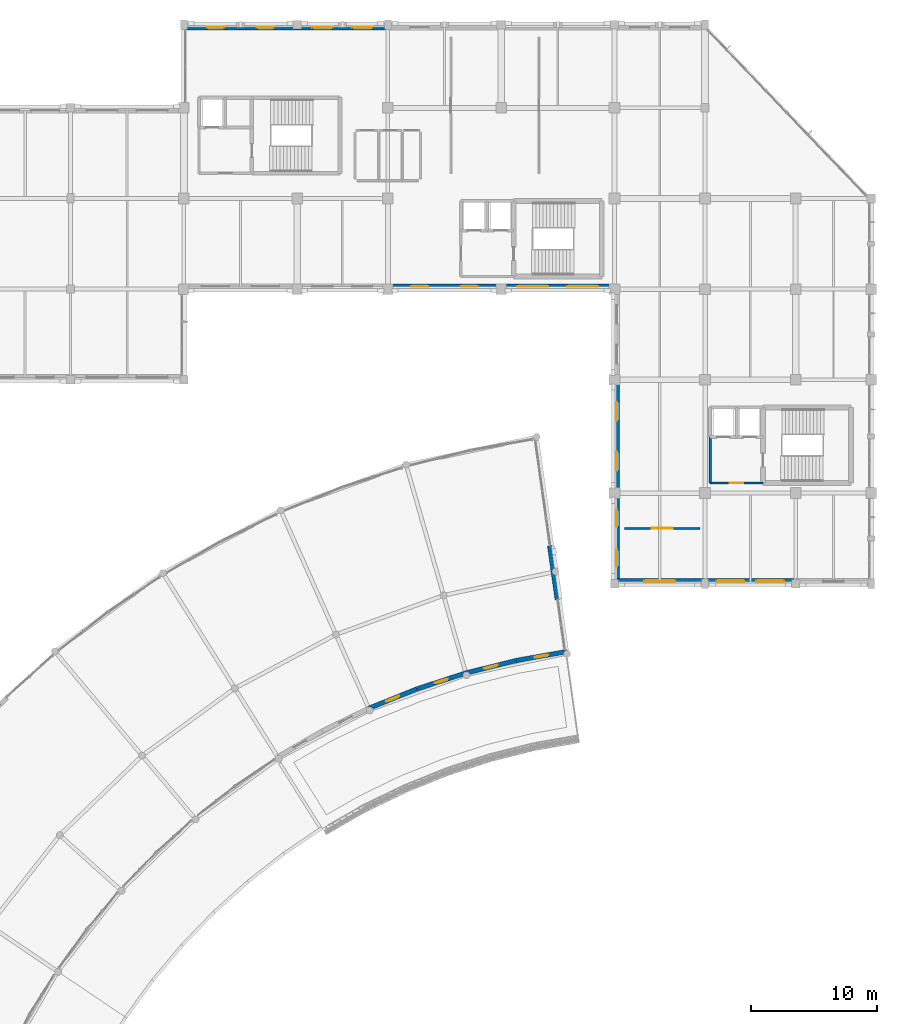
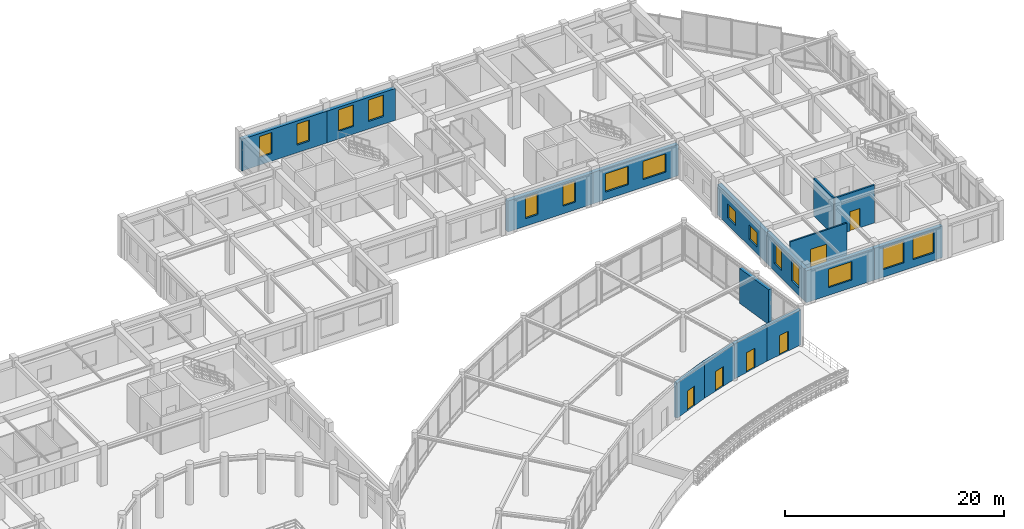
# One storey, part 46 of 62: 16 walls, 15 windows, 6 doors, 21 openings.
"""IFC4 building model written with IfcOpenShell, lengths in metres."""

from ifc_helpers import new_model, si_unit, direction, frame, frame_2d, origin, place, context, subcontext, project, spatial, rectangle, extrude, material, layer, layer_set, type_object, element, fill, save


model = new_model("IFC4")

# Units and contexts
model_context = context("Model", 3, precision=1e-05, world=origin(), true_north=direction((0.0, 1.0)))
body_context = subcontext(model_context, "Body", "Model", "MODEL_VIEW")
ifc_project = project(units=[si_unit("LENGTHUNIT", "METRE"), si_unit("AREAUNIT", "SQUARE_METRE"), si_unit("VOLUMEUNIT", "CUBIC_METRE"), si_unit("PLANEANGLEUNIT", "RADIAN"), si_unit("MASSUNIT", "GRAM", prefix="KILO")], contexts=[model_context])

# Site, building, storey
site_placement = place(None, origin())
site = spatial("IfcSite", under=ifc_project, at=site_placement, CompositionType="ELEMENT")
building_placement = place(site_placement, origin())
building = spatial("IfcBuilding", under=site, at=building_placement, Name="Clarverna Civic Hall", CompositionType="ELEMENT")
storey_placement = place(building_placement, frame((0.0, 0.0, 5.10009765625)))
storey = spatial("IfcBuildingStorey", under=building, at=storey_placement, Name="L01", CompositionType="ELEMENT", Elevation=5.10009765625)

# Wall, openings, windows
ifc_material_1 = material(Name="Montjuic Limestone Ashlar Cladding", Category="masonry")
ifc_layer_1 = layer(ifc_material_1, 0.39990234375)
ifc_layer_set_1 = layer_set([ifc_layer_1], Name="Montjuic Limestone Ashlar Cladding")
wall_type_1 = type_object("IfcWallType", Name="EW-02", PredefinedType="SOLIDWALL", material=ifc_layer_set_1)
wall_1_placement = place(storey_placement, frame((113.39990234375, 115.800048828125, 0.0), z_axis=(0.0, 0.0, 1.0), x_axis=(1.0, 0.0, 0.0)))
wall_1 = element("IfcWall", 1, at=wall_1_placement, inside=storey, type_object=wall_type_1, Name="EW-02-034", PredefinedType="SOLIDWALL", context=body_context, shape_type="SweptSolid", body=[
    extrude(rectangle(XDim=9.0, YDim=0.39990234375, at=frame_2d((4.5, 0.0))), origin(), (0.0, 0.0, 1.0), 3.539794921875),
])
opening_1_placement = place(wall_1_placement, frame((1.844970703125, 0.0, 0.85009765625)))
opening_1 = element("IfcOpeningElement", 2, at=opening_1_placement, cuts=wall_1, Name="Opening WN-29", PredefinedType="OPENING", context=body_context, shape_type="SweptSolid", body=[
    extrude(rectangle(XDim=1.35009765625, YDim=2.35009765625, at=frame_2d((0.675048828125, 1.175048828125))), frame((0.0, 0.2099609375, 0.0), z_axis=(0.0, -1.0, 0.0), x_axis=(1.0, 0.0, 0.0)), (0.0, 0.0, 1.0), 0.419921875),
])
opening_2_placement = place(wall_1_placement, frame((5.804931640625, 0.0, 0.85009765625)))
opening_2 = element("IfcOpeningElement", 3, at=opening_2_placement, cuts=wall_1, Name="Opening WN-29", PredefinedType="OPENING", context=body_context, shape_type="SweptSolid", body=[
    extrude(rectangle(XDim=1.35009765625, YDim=2.35009765625, at=frame_2d((0.675048828125, 1.175048828125))), frame((0.0, 0.2099609375, 0.0), z_axis=(0.0, -1.0, 0.0), x_axis=(1.0, 0.0, 0.0)), (0.0, 0.0, 1.0), 0.419921875),
])
ifc_material_2 = material(Name="Solar-Control Argon Low-E Double Glazing", Category="glass")
window_type_1 = type_object("IfcWindowType", Name="WN-29", PartitioningType="SINGLE_PANEL", PredefinedType="WINDOW", material=ifc_material_2)
window_1_placement = place(opening_1_placement, origin())
window_1 = element("IfcWindow", 4, at=window_1_placement, inside=storey, type_object=window_type_1, Name="WN-29-015", OverallHeight=2.35009765625, OverallWidth=1.35009765625, PartitioningType="SINGLE_PANEL", PredefinedType="WINDOW", context=body_context, shape_type="SweptSolid", body=[
    extrude(rectangle(XDim=1.35009765625, YDim=2.35009765625, at=frame_2d((0.675048828125, 1.175048828125))), frame((0.0, 0.030029296875, 0.0), z_axis=(0.0, -1.0, 0.0), x_axis=(1.0, 0.0, 0.0)), (0.0, 0.0, 1.0), 0.06005859375),
])
fill(opening_1, window_1)
window_2_placement = place(opening_2_placement, origin())
window_2 = element("IfcWindow", 5, at=window_2_placement, inside=storey, type_object=window_type_1, Name="WN-29-016", OverallHeight=2.35009765625, OverallWidth=1.35009765625, PartitioningType="SINGLE_PANEL", PredefinedType="WINDOW", context=body_context, shape_type="SweptSolid", body=[
    extrude(rectangle(XDim=1.35009765625, YDim=2.35009765625, at=frame_2d((0.675048828125, 1.175048828125))), frame((0.0, 0.030029296875, 0.0), z_axis=(0.0, -1.0, 0.0), x_axis=(1.0, 0.0, 0.0)), (0.0, 0.0, 1.0), 0.06005859375),
])
fill(opening_2, window_2)

wall_2_placement = place(storey_placement, frame((122.39990234375, 115.800048828125, 0.0), z_axis=(0.0, 0.0, 1.0), x_axis=(1.0, 0.0, 0.0)))
wall_2 = element("IfcWall", 6, at=wall_2_placement, inside=storey, type_object=wall_type_1, Name="EW-02-035", PredefinedType="SOLIDWALL", context=body_context, shape_type="SweptSolid", body=[
    extrude(rectangle(XDim=7.2001953125, YDim=0.39990234375, at=frame_2d((3.60009765625, 0.0))), origin(), (0.0, 0.0, 1.0), 3.539794921875),
])
opening_3_placement = place(wall_2_placement, frame((1.216064453125, 0.0, 0.85009765625)))
opening_3 = element("IfcOpeningElement", 7, at=opening_3_placement, cuts=wall_2, Name="Opening WN-03", PredefinedType="OPENING", context=body_context, shape_type="SweptSolid", body=[
    extrude(rectangle(XDim=1.60009765625, YDim=2.39990234375, at=frame_2d((0.800048828125, 1.199951171875))), frame((0.0, 0.2099609375, 0.0), z_axis=(0.0, -1.0, 0.0), x_axis=(1.0, 0.0, 0.0)), (0.0, 0.0, 1.0), 0.419921875),
])
opening_4_placement = place(wall_2_placement, frame((4.384033203125, 0.0, 0.85009765625)))
opening_4 = element("IfcOpeningElement", 8, at=opening_4_placement, cuts=wall_2, Name="Opening WN-03", PredefinedType="OPENING", context=body_context, shape_type="SweptSolid", body=[
    extrude(rectangle(XDim=1.60009765625, YDim=2.39990234375, at=frame_2d((0.800048828125, 1.199951171875))), frame((0.0, 0.2099609375, 0.0), z_axis=(0.0, -1.0, 0.0), x_axis=(1.0, 0.0, 0.0)), (0.0, 0.0, 1.0), 0.419921875),
])
window_type_2 = type_object("IfcWindowType", Name="WN-03", PartitioningType="DOUBLE_PANEL_VERTICAL", PredefinedType="WINDOW", material=ifc_material_2)
window_3_placement = place(opening_3_placement, origin())
window_3 = element("IfcWindow", 9, at=window_3_placement, inside=storey, type_object=window_type_2, Name="WN-03-012", OverallHeight=2.39990234375, OverallWidth=1.60009765625, PartitioningType="DOUBLE_PANEL_VERTICAL", PredefinedType="WINDOW", context=body_context, shape_type="SweptSolid", body=[
    extrude(rectangle(XDim=1.60009765625, YDim=2.39990234375, at=frame_2d((0.800048828125, 1.199951171875))), frame((0.0, 0.030029296875, 0.0), z_axis=(0.0, -1.0, 0.0), x_axis=(1.0, 0.0, 0.0)), (0.0, 0.0, 1.0), 0.06005859375),
])
fill(opening_3, window_3)
window_4_placement = place(opening_4_placement, origin())
window_4 = element("IfcWindow", 10, at=window_4_placement, inside=storey, type_object=window_type_2, Name="WN-03-013", OverallHeight=2.39990234375, OverallWidth=1.60009765625, PartitioningType="DOUBLE_PANEL_VERTICAL", PredefinedType="WINDOW", context=body_context, shape_type="SweptSolid", body=[
    extrude(rectangle(XDim=1.60009765625, YDim=2.39990234375, at=frame_2d((0.800048828125, 1.199951171875))), frame((0.0, 0.030029296875, 0.0), z_axis=(0.0, -1.0, 0.0), x_axis=(1.0, 0.0, 0.0)), (0.0, 0.0, 1.0), 0.06005859375),
])
fill(opening_4, window_4)

wall_3_placement = place(storey_placement, frame((162.0, 71.800048828125, 0.0), z_axis=(0.0, 0.0, 1.0), x_axis=(-1.0, 0.0, 0.0)))
wall_3 = element("IfcWall", 11, at=wall_3_placement, inside=storey, type_object=wall_type_1, Name="EW-02-040", PredefinedType="SOLIDWALL", context=body_context, shape_type="SweptSolid", body=[
    extrude(rectangle(XDim=7.199951171875, YDim=0.39990234375, at=frame_2d((3.60009765625, 0.0))), origin(), (0.0, 0.0, 1.0), 3.539794921875),
])
opening_5_placement = place(wall_3_placement, frame((0.916015625, 0.0, 0.85009765625)))
opening_5 = element("IfcOpeningElement", 12, at=opening_5_placement, cuts=wall_3, Name="Opening WN-04", PredefinedType="OPENING", context=body_context, shape_type="SweptSolid", body=[
    extrude(rectangle(XDim=2.199951171875, YDim=2.39990234375, at=frame_2d((1.10009765625, 1.199951171875))), frame((0.0, 0.2099609375, 0.0), z_axis=(0.0, -1.0, 0.0), x_axis=(1.0, 0.0, 0.0)), (0.0, 0.0, 1.0), 0.419921875),
])
opening_6_placement = place(wall_3_placement, frame((4.083984375, 0.0, 0.85009765625)))
opening_6 = element("IfcOpeningElement", 13, at=opening_6_placement, cuts=wall_3, Name="Opening WN-04", PredefinedType="OPENING", context=body_context, shape_type="SweptSolid", body=[
    extrude(rectangle(XDim=2.199951171875, YDim=2.39990234375, at=frame_2d((1.10009765625, 1.199951171875))), frame((0.0, 0.2099609375, 0.0), z_axis=(0.0, -1.0, 0.0), x_axis=(1.0, 0.0, 0.0)), (0.0, 0.0, 1.0), 0.419921875),
])
window_type_3 = type_object("IfcWindowType", Name="WN-04", PartitioningType="DOUBLE_PANEL_VERTICAL", PredefinedType="WINDOW", material=ifc_material_2)
window_5_placement = place(opening_5_placement, origin())
window_5 = element("IfcWindow", 14, at=window_5_placement, inside=storey, type_object=window_type_3, Name="WN-04-009", OverallHeight=2.39990234375, OverallWidth=2.199951171875, PartitioningType="DOUBLE_PANEL_VERTICAL", PredefinedType="WINDOW", context=body_context, shape_type="SweptSolid", body=[
    extrude(rectangle(XDim=2.199951171875, YDim=2.39990234375, at=frame_2d((1.10009765625, 1.199951171875))), frame((0.0, 0.030029296875, 0.0), z_axis=(0.0, -1.0, 0.0), x_axis=(1.0, 0.0, 0.0)), (0.0, 0.0, 1.0), 0.06005859375),
])
fill(opening_5, window_5)
window_6_placement = place(opening_6_placement, origin())
window_6 = element("IfcWindow", 15, at=window_6_placement, inside=storey, type_object=window_type_3, Name="WN-04-010", OverallHeight=2.39990234375, OverallWidth=2.199951171875, PartitioningType="DOUBLE_PANEL_VERTICAL", PredefinedType="WINDOW", context=body_context, shape_type="SweptSolid", body=[
    extrude(rectangle(XDim=2.199951171875, YDim=2.39990234375, at=frame_2d((1.10009765625, 1.199951171875))), frame((0.0, 0.030029296875, 0.0), z_axis=(0.0, -1.0, 0.0), x_axis=(1.0, 0.0, 0.0)), (0.0, 0.0, 1.0), 0.06005859375),
])
fill(opening_6, window_6)

# Wall, opening, window
wall_4_placement = place(storey_placement, frame((154.800048828125, 71.800048828125, 0.0), z_axis=(0.0, 0.0, 1.0), x_axis=(-1.0, 0.0, 0.0)))
wall_4 = element("IfcWall", 16, at=wall_4_placement, inside=storey, type_object=wall_type_1, Name="EW-02-041", PredefinedType="SOLIDWALL", context=body_context, shape_type="SweptSolid", body=[
    extrude(rectangle(XDim=7.199951171875, YDim=0.39990234375, at=frame_2d((3.60009765625, 0.0))), origin(), (0.0, 0.0, 1.0), 3.539794921875),
])
opening_7_placement = place(wall_4_placement, frame((2.375, 0.0, 0.85009765625)))
opening_7 = element("IfcOpeningElement", 17, at=opening_7_placement, cuts=wall_4, Name="Opening WN-24", PredefinedType="OPENING", context=body_context, shape_type="SweptSolid", body=[
    extrude(rectangle(XDim=2.449951171875, YDim=2.050048828125, at=frame_2d((1.22509765625, 1.02490234375))), frame((0.0, 0.2099609375, 0.0), z_axis=(0.0, -1.0, 0.0), x_axis=(1.0, 0.0, 0.0)), (0.0, 0.0, 1.0), 0.419921875),
])
window_type_4 = type_object("IfcWindowType", Name="WN-24", PartitioningType="TRIPLE_PANEL_VERTICAL", PredefinedType="WINDOW", material=ifc_material_2)
window_7_placement = place(opening_7_placement, origin())
window_7 = element("IfcWindow", 18, at=window_7_placement, inside=storey, type_object=window_type_4, Name="WN-24-016", OverallHeight=2.050048828125, OverallWidth=2.449951171875, PartitioningType="TRIPLE_PANEL_VERTICAL", PredefinedType="WINDOW", context=body_context, shape_type="SweptSolid", body=[
    extrude(rectangle(XDim=2.449951171875, YDim=2.050048828125, at=frame_2d((1.22509765625, 1.02490234375))), frame((0.0, 0.030029296875, 0.0), z_axis=(0.0, -1.0, 0.0), x_axis=(1.0, 0.0, 0.0)), (0.0, 0.0, 1.0), 0.06005859375),
])
fill(opening_7, window_7)

# Wall, openings, windows
wall_5_placement = place(storey_placement, frame((147.800048828125, 71.60009765625, 0.0), z_axis=(0.0, 0.0, 1.0), x_axis=(0.0, 1.0, 0.0)))
wall_5 = element("IfcWall", 19, at=wall_5_placement, inside=storey, type_object=wall_type_1, Name="EW-02-042", PredefinedType="SOLIDWALL", context=body_context, shape_type="SweptSolid", body=[
    extrude(rectangle(XDim=7.199951171875, YDim=0.39990234375, at=frame_2d((3.60009765625, 0.0))), origin(), (0.0, 0.0, 1.0), 3.539794921875),
])
opening_8_placement = place(wall_5_placement, frame((1.341064453125, 0.0, 0.85009765625)))
opening_8 = element("IfcOpeningElement", 20, at=opening_8_placement, cuts=wall_5, Name="Opening WN-29", PredefinedType="OPENING", context=body_context, shape_type="SweptSolid", body=[
    extrude(rectangle(XDim=1.35009765625, YDim=2.35009765625, at=frame_2d((0.675048828125, 1.175048828125))), frame((0.0, 0.2099609375, 0.0), z_axis=(0.0, -1.0, 0.0), x_axis=(1.0, 0.0, 0.0)), (0.0, 0.0, 1.0), 0.419921875),
])
opening_9_placement = place(wall_5_placement, frame((4.509033203125, 0.0, 0.85009765625)))
opening_9 = element("IfcOpeningElement", 21, at=opening_9_placement, cuts=wall_5, Name="Opening WN-29", PredefinedType="OPENING", context=body_context, shape_type="SweptSolid", body=[
    extrude(rectangle(XDim=1.35009765625, YDim=2.35009765625, at=frame_2d((0.675048828125, 1.175048828125))), frame((0.0, 0.2099609375, 0.0), z_axis=(0.0, -1.0, 0.0), x_axis=(1.0, 0.0, 0.0)), (0.0, 0.0, 1.0), 0.419921875),
])
window_8_placement = place(opening_8_placement, origin())
window_8 = element("IfcWindow", 22, at=window_8_placement, inside=storey, type_object=window_type_1, Name="WN-29-017", OverallHeight=2.35009765625, OverallWidth=1.35009765625, PartitioningType="SINGLE_PANEL", PredefinedType="WINDOW", context=body_context, shape_type="SweptSolid", body=[
    extrude(rectangle(XDim=1.35009765625, YDim=2.35009765625, at=frame_2d((0.675048828125, 1.175048828125))), frame((0.0, 0.030029296875, 0.0), z_axis=(0.0, -1.0, 0.0), x_axis=(1.0, 0.0, 0.0)), (0.0, 0.0, 1.0), 0.06005859375),
])
fill(opening_8, window_8)
window_9_placement = place(opening_9_placement, origin())
window_9 = element("IfcWindow", 23, at=window_9_placement, inside=storey, type_object=window_type_1, Name="WN-29-018", OverallHeight=2.35009765625, OverallWidth=1.35009765625, PartitioningType="SINGLE_PANEL", PredefinedType="WINDOW", context=body_context, shape_type="SweptSolid", body=[
    extrude(rectangle(XDim=1.35009765625, YDim=2.35009765625, at=frame_2d((0.675048828125, 1.175048828125))), frame((0.0, 0.030029296875, 0.0), z_axis=(0.0, -1.0, 0.0), x_axis=(1.0, 0.0, 0.0)), (0.0, 0.0, 1.0), 0.06005859375),
])
fill(opening_9, window_9)

wall_6_placement = place(storey_placement, frame((147.800048828125, 78.800048828125, 0.0), z_axis=(0.0, 0.0, 1.0), x_axis=(0.0, 1.0, 0.0)))
wall_6 = element("IfcWall", 24, at=wall_6_placement, inside=storey, type_object=wall_type_1, Name="EW-02-043", PredefinedType="SOLIDWALL", context=body_context, shape_type="SweptSolid", body=[
    extrude(rectangle(XDim=9.0, YDim=0.39990234375, at=frame_2d((4.5, 0.0))), origin(), (0.0, 0.0, 1.0), 3.419921875),
])
opening_10_placement = place(wall_6_placement, frame((1.77001953125, 0.0, 0.75)))
opening_10 = element("IfcOpeningElement", 25, at=opening_10_placement, cuts=wall_6, Name="Opening WN-14", PredefinedType="OPENING", context=body_context, shape_type="SweptSolid", body=[
    extrude(rectangle(XDim=1.5, YDim=1.60009765625, at=frame_2d((0.75, 0.800048828125))), frame((0.0, 0.2099609375, 0.0), z_axis=(0.0, -1.0, 0.0), x_axis=(1.0, 0.0, 0.0)), (0.0, 0.0, 1.0), 0.419921875),
])
opening_11_placement = place(wall_6_placement, frame((5.72998046875, 0.0, 0.75)))
opening_11 = element("IfcOpeningElement", 26, at=opening_11_placement, cuts=wall_6, Name="Opening WN-14", PredefinedType="OPENING", context=body_context, shape_type="SweptSolid", body=[
    extrude(rectangle(XDim=1.5, YDim=1.60009765625, at=frame_2d((0.75, 0.800048828125))), frame((0.0, 0.2099609375, 0.0), z_axis=(0.0, -1.0, 0.0), x_axis=(1.0, 0.0, 0.0)), (0.0, 0.0, 1.0), 0.419921875),
])
window_type_5 = type_object("IfcWindowType", Name="WN-14", PartitioningType="DOUBLE_PANEL_HORIZONTAL", PredefinedType="WINDOW", material=ifc_material_2)
window_10_placement = place(opening_10_placement, origin())
window_10 = element("IfcWindow", 27, at=window_10_placement, inside=storey, type_object=window_type_5, Name="WN-14-013", OverallHeight=1.60009765625, OverallWidth=1.5, PartitioningType="DOUBLE_PANEL_HORIZONTAL", PredefinedType="WINDOW", context=body_context, shape_type="SweptSolid", body=[
    extrude(rectangle(XDim=1.5, YDim=1.60009765625, at=frame_2d((0.75, 0.800048828125))), frame((0.0, 0.030029296875, 0.0), z_axis=(0.0, -1.0, 0.0), x_axis=(1.0, 0.0, 0.0)), (0.0, 0.0, 1.0), 0.06005859375),
])
fill(opening_10, window_10)
window_11_placement = place(opening_11_placement, origin())
window_11 = element("IfcWindow", 28, at=window_11_placement, inside=storey, type_object=window_type_5, Name="WN-14-014", OverallHeight=1.60009765625, OverallWidth=1.5, PartitioningType="DOUBLE_PANEL_HORIZONTAL", PredefinedType="WINDOW", context=body_context, shape_type="SweptSolid", body=[
    extrude(rectangle(XDim=1.5, YDim=1.60009765625, at=frame_2d((0.75, 0.800048828125))), frame((0.0, 0.030029296875, 0.0), z_axis=(0.0, -1.0, 0.0), x_axis=(1.0, 0.0, 0.0)), (0.0, 0.0, 1.0), 0.06005859375),
])
fill(opening_11, window_11)

wall_7_placement = place(storey_placement, frame((147.60009765625, 95.199951171875, 0.0), z_axis=(0.0, 0.0, 1.0), x_axis=(-1.0, 0.0, 0.0)))
wall_7 = element("IfcWall", 29, at=wall_7_placement, inside=storey, type_object=wall_type_1, Name="EW-02-045", PredefinedType="SOLIDWALL", context=body_context, shape_type="SweptSolid", body=[
    extrude(rectangle(XDim=9.0, YDim=0.39990234375, at=frame_2d((4.5, 0.0))), origin(), (0.0, 0.0, 1.0), 3.5),
])
opening_12_placement = place(wall_7_placement, frame((1.294921875, 0.0, 0.85009765625)))
opening_12 = element("IfcOpeningElement", 30, at=opening_12_placement, cuts=wall_7, Name="Opening WN-24", PredefinedType="OPENING", context=body_context, shape_type="SweptSolid", body=[
    extrude(rectangle(XDim=2.449951171875, YDim=2.050048828125, at=frame_2d((1.22509765625, 1.02490234375))), frame((0.0, 0.2099609375, 0.0), z_axis=(0.0, -1.0, 0.0), x_axis=(1.0, 0.0, 0.0)), (0.0, 0.0, 1.0), 0.419921875),
])
opening_13_placement = place(wall_7_placement, frame((5.2548828125, 0.0, 0.85009765625)))
opening_13 = element("IfcOpeningElement", 31, at=opening_13_placement, cuts=wall_7, Name="Opening WN-24", PredefinedType="OPENING", context=body_context, shape_type="SweptSolid", body=[
    extrude(rectangle(XDim=2.449951171875, YDim=2.050048828125, at=frame_2d((1.22509765625, 1.02490234375))), frame((0.0, 0.2099609375, 0.0), z_axis=(0.0, -1.0, 0.0), x_axis=(1.0, 0.0, 0.0)), (0.0, 0.0, 1.0), 0.419921875),
])
window_12_placement = place(opening_12_placement, origin())
window_12 = element("IfcWindow", 32, at=window_12_placement, inside=storey, type_object=window_type_4, Name="WN-24-017", OverallHeight=2.050048828125, OverallWidth=2.449951171875, PartitioningType="TRIPLE_PANEL_VERTICAL", PredefinedType="WINDOW", context=body_context, shape_type="SweptSolid", body=[
    extrude(rectangle(XDim=2.449951171875, YDim=2.050048828125, at=frame_2d((1.22509765625, 1.02490234375))), frame((0.0, 0.030029296875, 0.0), z_axis=(0.0, -1.0, 0.0), x_axis=(1.0, 0.0, 0.0)), (0.0, 0.0, 1.0), 0.06005859375),
])
fill(opening_12, window_12)
window_13_placement = place(opening_13_placement, origin())
window_13 = element("IfcWindow", 33, at=window_13_placement, inside=storey, type_object=window_type_4, Name="WN-24-018", OverallHeight=2.050048828125, OverallWidth=2.449951171875, PartitioningType="TRIPLE_PANEL_VERTICAL", PredefinedType="WINDOW", context=body_context, shape_type="SweptSolid", body=[
    extrude(rectangle(XDim=2.449951171875, YDim=2.050048828125, at=frame_2d((1.22509765625, 1.02490234375))), frame((0.0, 0.030029296875, 0.0), z_axis=(0.0, -1.0, 0.0), x_axis=(1.0, 0.0, 0.0)), (0.0, 0.0, 1.0), 0.06005859375),
])
fill(opening_13, window_13)

wall_8_placement = place(storey_placement, frame((138.60009765625, 95.199951171875, 0.0), z_axis=(0.0, 0.0, 1.0), x_axis=(-1.0, 0.0, 0.0)))
wall_8 = element("IfcWall", 34, at=wall_8_placement, inside=storey, type_object=wall_type_1, Name="EW-02-046", PredefinedType="SOLIDWALL", context=body_context, shape_type="SweptSolid", body=[
    extrude(rectangle(XDim=9.0, YDim=0.39990234375, at=frame_2d((4.5, 0.0))), origin(), (0.0, 0.0, 1.0), 3.469970703125),
])
opening_14_placement = place(wall_8_placement, frame((1.844970703125, 0.0, 0.85009765625)))
opening_14 = element("IfcOpeningElement", 35, at=opening_14_placement, cuts=wall_8, Name="Opening WN-29", PredefinedType="OPENING", context=body_context, shape_type="SweptSolid", body=[
    extrude(rectangle(XDim=1.35009765625, YDim=2.35009765625, at=frame_2d((0.675048828125, 1.175048828125))), frame((0.0, 0.2099609375, 0.0), z_axis=(0.0, -1.0, 0.0), x_axis=(1.0, 0.0, 0.0)), (0.0, 0.0, 1.0), 0.419921875),
])
opening_15_placement = place(wall_8_placement, frame((5.804931640625, 0.0, 0.85009765625)))
opening_15 = element("IfcOpeningElement", 36, at=opening_15_placement, cuts=wall_8, Name="Opening WN-29", PredefinedType="OPENING", context=body_context, shape_type="SweptSolid", body=[
    extrude(rectangle(XDim=1.35009765625, YDim=2.35009765625, at=frame_2d((0.675048828125, 1.175048828125))), frame((0.0, 0.2099609375, 0.0), z_axis=(0.0, -1.0, 0.0), x_axis=(1.0, 0.0, 0.0)), (0.0, 0.0, 1.0), 0.419921875),
])
window_14_placement = place(opening_14_placement, origin())
window_14 = element("IfcWindow", 37, at=window_14_placement, inside=storey, type_object=window_type_1, Name="WN-29-019", OverallHeight=2.35009765625, OverallWidth=1.35009765625, PartitioningType="SINGLE_PANEL", PredefinedType="WINDOW", context=body_context, shape_type="SweptSolid", body=[
    extrude(rectangle(XDim=1.35009765625, YDim=2.35009765625, at=frame_2d((0.675048828125, 1.175048828125))), frame((0.0, 0.030029296875, 0.0), z_axis=(0.0, -1.0, 0.0), x_axis=(1.0, 0.0, 0.0)), (0.0, 0.0, 1.0), 0.06005859375),
])
fill(opening_14, window_14)
window_15_placement = place(opening_15_placement, origin())
window_15 = element("IfcWindow", 38, at=window_15_placement, inside=storey, type_object=window_type_1, Name="WN-29-020", OverallHeight=2.35009765625, OverallWidth=1.35009765625, PartitioningType="SINGLE_PANEL", PredefinedType="WINDOW", context=body_context, shape_type="SweptSolid", body=[
    extrude(rectangle(XDim=1.35009765625, YDim=2.35009765625, at=frame_2d((0.675048828125, 1.175048828125))), frame((0.0, 0.030029296875, 0.0), z_axis=(0.0, -1.0, 0.0), x_axis=(1.0, 0.0, 0.0)), (0.0, 0.0, 1.0), 0.06005859375),
])
fill(opening_15, window_15)

# Wall
ifc_layer_2 = layer(ifc_material_1, 0.360107421875)
ifc_layer_set_2 = layer_set([ifc_layer_2], Name="Montjuic Limestone Ashlar Cladding")
wall_type_2 = type_object("IfcWallType", Name="EW-03", PredefinedType="SOLIDWALL", material=ifc_layer_set_2)
wall_9_placement = place(storey_placement, frame((142.455322265625, 74.6201171875, 0.0), z_axis=(0.0, 0.0, 1.0), x_axis=(0.139181739834, -0.990266854589, 0.0)))
element("IfcWall", 39, at=wall_9_placement, inside=storey, type_object=wall_type_2, Name="EW-03-002", PredefinedType="SOLIDWALL", context=body_context, shape_type="SweptSolid", body=[
    extrude(rectangle(XDim=4.35009765625, YDim=0.360107421875, at=frame_2d((2.175048828125, 0.0))), origin(), (0.0, 0.0, 1.0), 3.889892578125),
])

# Wall, opening, door
wall_10_placement = place(storey_placement, frame((143.813232421875, 66.20703125, 0.0), z_axis=(0.0, 0.0, 1.0), x_axis=(-0.984799778569, -0.173693396911, 0.0)))
wall_10 = element("IfcWall", 40, at=wall_10_placement, inside=storey, type_object=wall_type_2, Name="EW-03-003", PredefinedType="SOLIDWALL", context=body_context, shape_type="SweptSolid", body=[
    extrude(rectangle(XDim=4.09033203125, YDim=0.360107421875, at=frame_2d((2.045166015625, 0.0))), origin(), (0.0, 0.0, 1.0), 3.909912109375),
])
opening_16_placement = place(wall_10_placement, frame((1.4951171875, 0.0, 0.0)))
opening_16 = element("IfcOpeningElement", 41, at=opening_16_placement, cuts=wall_10, Name="Opening ED-05", PredefinedType="OPENING", context=body_context, shape_type="SweptSolid", body=[
    extrude(rectangle(XDim=1.10009765625, YDim=2.199951171875, at=frame_2d((0.550048828125, 1.10009765625))), frame((0.0, 0.18994140625, 0.0), z_axis=(0.0, -1.0, 0.0), x_axis=(1.0, 0.0, 0.0)), (0.0, 0.0, 1.0), 0.380126953125),
])
ifc_material_3 = material(Name="Anodised Bronze Glazed Door")
door_type_1 = type_object("IfcDoorType", Name="ED-05", OperationType="NOTDEFINED", PredefinedType="DOOR", material=ifc_material_3)
door_1_placement = place(opening_16_placement, origin())
door_1 = element("IfcDoor", 42, at=door_1_placement, inside=storey, type_object=door_type_1, Name="ED-05-002", OperationType="SINGLE_SWING_RIGHT", OverallHeight=2.199951171875, OverallWidth=1.10009765625, PredefinedType="DOOR", context=body_context, shape_type="SweptSolid", body=[
    extrude(rectangle(XDim=1.10009765625, YDim=2.199951171875, at=frame_2d((0.550048828125, 1.10009765625))), frame((0.0, 0.02490234375, 0.0), z_axis=(0.0, -1.0, 0.0), x_axis=(1.0, 0.0, 0.0)), (0.0, 0.0, 1.0), 0.050048828125),
])
fill(opening_16, door_1)

wall_11_placement = place(storey_placement, frame((139.77294921875, 65.494140625, 0.0), z_axis=(0.0, 0.0, 1.0), x_axis=(-0.970296791304, -0.241917623964, 0.0)))
wall_11 = element("IfcWall", 43, at=wall_11_placement, inside=storey, type_object=wall_type_2, Name="EW-03-004", PredefinedType="SOLIDWALL", context=body_context, shape_type="SweptSolid", body=[
    extrude(rectangle(XDim=4.09033203125, YDim=0.360107421875, at=frame_2d((2.045166015625, 0.0))), origin(), (0.0, 0.0, 1.0), 3.909912109375),
])
opening_17_placement = place(wall_11_placement, frame((1.4951171875, 0.0, 0.0)))
opening_17 = element("IfcOpeningElement", 44, at=opening_17_placement, cuts=wall_11, Name="Opening ED-05", PredefinedType="OPENING", context=body_context, shape_type="SweptSolid", body=[
    extrude(rectangle(XDim=1.10009765625, YDim=2.199951171875, at=frame_2d((0.550048828125, 1.10009765625))), frame((0.0, 0.18994140625, 0.0), z_axis=(0.0, -1.0, 0.0), x_axis=(1.0, 0.0, 0.0)), (0.0, 0.0, 1.0), 0.380126953125),
])
door_2_placement = place(opening_17_placement, origin())
door_2 = element("IfcDoor", 45, at=door_2_placement, inside=storey, type_object=door_type_1, Name="ED-05-003", OperationType="SINGLE_SWING_LEFT", OverallHeight=2.199951171875, OverallWidth=1.10009765625, PredefinedType="DOOR", context=body_context, shape_type="SweptSolid", body=[
    extrude(rectangle(XDim=1.10009765625, YDim=2.199951171875, at=frame_2d((0.550048828125, 1.10009765625))), frame((0.0, 0.02490234375, 0.0), z_axis=(0.0, -1.0, 0.0), x_axis=(1.0, 0.0, 0.0)), (0.0, 0.0, 1.0), 0.050048828125),
])
fill(opening_17, door_2)

wall_12_placement = place(storey_placement, frame((135.7919921875, 64.501220703125, 0.0), z_axis=(0.0, 0.0, 1.0), x_axis=(-0.951055560564, -0.309019935796, 0.0)))
wall_12 = element("IfcWall", 46, at=wall_12_placement, inside=storey, type_object=wall_type_2, Name="EW-03-005", PredefinedType="SOLIDWALL", context=body_context, shape_type="SweptSolid", body=[
    extrude(rectangle(XDim=4.090087890625, YDim=0.360107421875, at=frame_2d((2.044921875, 0.0))), origin(), (0.0, 0.0, 1.0), 3.909912109375),
])
opening_18_placement = place(wall_12_placement, frame((1.4951171875, 0.0, 0.0)))
opening_18 = element("IfcOpeningElement", 47, at=opening_18_placement, cuts=wall_12, Name="Opening ED-05", PredefinedType="OPENING", context=body_context, shape_type="SweptSolid", body=[
    extrude(rectangle(XDim=1.10009765625, YDim=2.199951171875, at=frame_2d((0.550048828125, 1.10009765625))), frame((0.0, 0.18994140625, 0.0), z_axis=(0.0, -1.0, 0.0), x_axis=(1.0, 0.0, 0.0)), (0.0, 0.0, 1.0), 0.380126953125),
])
door_3_placement = place(opening_18_placement, origin())
door_3 = element("IfcDoor", 48, at=door_3_placement, inside=storey, type_object=door_type_1, Name="ED-05-004", OperationType="SINGLE_SWING_RIGHT", OverallHeight=2.199951171875, OverallWidth=1.10009765625, PredefinedType="DOOR", context=body_context, shape_type="SweptSolid", body=[
    extrude(rectangle(XDim=1.10009765625, YDim=2.199951171875, at=frame_2d((0.550048828125, 1.10009765625))), frame((0.0, 0.02490234375, 0.0), z_axis=(0.0, -1.0, 0.0), x_axis=(1.0, 0.0, 0.0)), (0.0, 0.0, 1.0), 0.050048828125),
])
fill(opening_18, door_3)

wall_13_placement = place(storey_placement, frame((131.89013671875, 63.23291015625, 0.0), z_axis=(0.0, 0.0, 1.0), x_axis=(-0.927178450904, -0.374619967673, 0.0)))
wall_13 = element("IfcWall", 49, at=wall_13_placement, inside=storey, type_object=wall_type_2, Name="EW-03-006", PredefinedType="SOLIDWALL", context=body_context, shape_type="SweptSolid", body=[
    extrude(rectangle(XDim=4.090087890625, YDim=0.360107421875, at=frame_2d((2.044921875, 0.0))), origin(), (0.0, 0.0, 1.0), 3.909912109375),
])
opening_19_placement = place(wall_13_placement, frame((1.4951171875, 0.0, 0.0)))
opening_19 = element("IfcOpeningElement", 50, at=opening_19_placement, cuts=wall_13, Name="Opening ED-05", PredefinedType="OPENING", context=body_context, shape_type="SweptSolid", body=[
    extrude(rectangle(XDim=1.10009765625, YDim=2.199951171875, at=frame_2d((0.550048828125, 1.10009765625))), frame((0.0, 0.18994140625, 0.0), z_axis=(0.0, -1.0, 0.0), x_axis=(1.0, 0.0, 0.0)), (0.0, 0.0, 1.0), 0.380126953125),
])
door_4_placement = place(opening_19_placement, origin())
door_4 = element("IfcDoor", 51, at=door_4_placement, inside=storey, type_object=door_type_1, Name="ED-05-005", OperationType="SINGLE_SWING_LEFT", OverallHeight=2.199951171875, OverallWidth=1.10009765625, PredefinedType="DOOR", context=body_context, shape_type="SweptSolid", body=[
    extrude(rectangle(XDim=1.10009765625, YDim=2.199951171875, at=frame_2d((0.550048828125, 1.10009765625))), frame((0.0, 0.02490234375, 0.0), z_axis=(0.0, -1.0, 0.0), x_axis=(1.0, 0.0, 0.0)), (0.0, 0.0, 1.0), 0.050048828125),
])
fill(opening_19, door_4)

ifc_material_4 = material(Name="Acoustic Gypsum Plasterboard Partition", Category="gypsum")
ifc_layer_3 = layer(ifc_material_4, 0.159912109375)
ifc_layer_set_3 = layer_set([ifc_layer_3], Name="Acoustic Gypsum Plasterboard Partition")
wall_type_3 = type_object("IfcWallType", Name="PW-01", PredefinedType="PARTITIONING", material=ifc_layer_set_3)
wall_14_placement = place(storey_placement, frame((148.39990234375, 76.0, 0.0), z_axis=(0.0, 0.0, 1.0), x_axis=(1.0, 0.0, 0.0)))
wall_14 = element("IfcWall", 52, at=wall_14_placement, inside=storey, type_object=wall_type_3, Name="PW-01-004", PredefinedType="PARTITIONING", context=body_context, shape_type="SweptSolid", body=[
    extrude(rectangle(XDim=6.0, YDim=0.159912109375, at=frame_2d((3.0, 0.0))), origin(), (0.0, 0.0, 1.0), 3.889892578125),
])
opening_20_placement = place(wall_14_placement, frame((2.14990234375, 0.0, 0.0)))
opening_20 = element("IfcOpeningElement", 53, at=opening_20_placement, cuts=wall_14, Name="Opening ID-04", PredefinedType="OPENING", context=body_context, shape_type="SweptSolid", body=[
    extrude(rectangle(XDim=1.699951171875, YDim=2.300048828125, at=frame_2d((0.85009765625, 1.14990234375))), frame((0.0, 0.08984375, 0.0), z_axis=(0.0, -1.0, 0.0), x_axis=(1.0, 0.0, 0.0)), (0.0, 0.0, 1.0), 0.179931640625),
])
ifc_material_5 = material(Name="Glazed Bronze-Framed Oak Double Door")
door_type_2 = type_object("IfcDoorType", Name="ID-04", OperationType="DOUBLE_DOOR_SINGLE_SWING", PredefinedType="DOOR", material=ifc_material_5)
door_5_placement = place(opening_20_placement, origin())
door_5 = element("IfcDoor", 54, at=door_5_placement, inside=storey, type_object=door_type_2, Name="ID-04-003", OperationType="DOUBLE_DOOR_SINGLE_SWING", OverallHeight=2.300048828125, OverallWidth=1.699951171875, PredefinedType="DOOR", context=body_context, shape_type="SweptSolid", body=[
    extrude(rectangle(XDim=1.699951171875, YDim=2.300048828125, at=frame_2d((0.85009765625, 1.14990234375))), frame((0.0, 0.02490234375, 0.0), z_axis=(0.0, -1.0, 0.0), x_axis=(1.0, 0.0, 0.0)), (0.0, 0.0, 1.0), 0.050048828125),
])
fill(opening_20, door_5)

# Wall
ifc_material_6 = material(Name="Acoustic Gypsum Plasterboard on Twin Frame", Category="gypsum")
ifc_layer_4 = layer(ifc_material_6, 0.18994140625)
ifc_layer_set_4 = layer_set([ifc_layer_4], Name="Acoustic Gypsum Plasterboard on Twin Frame")
wall_type_4 = type_object("IfcWallType", Name="PW-06", PredefinedType="PARTITIONING", material=ifc_layer_set_4)
wall_15_placement = place(storey_placement, frame((155.199951171875, 79.60009765625, 0.0), z_axis=(0.0, 0.0, 1.0), x_axis=(0.0, 1.0, 0.0)))
element("IfcWall", 55, at=wall_15_placement, inside=storey, type_object=wall_type_4, Name="PW-06-023", PredefinedType="PARTITIONING", context=body_context, shape_type="SweptSolid", body=[
    extrude(rectangle(XDim=3.64990234375, YDim=0.18994140625, at=frame_2d((1.824951171875, 0.0))), origin(), (0.0, 0.0, 1.0), 4.219970703125),
])

# Wall, opening, door
wall_16_placement = place(storey_placement, frame((155.199951171875, 79.60009765625, 0.0), z_axis=(0.0, 0.0, 1.0), x_axis=(1.0, 0.0, 0.0)))
wall_16 = element("IfcWall", 56, at=wall_16_placement, inside=storey, type_object=wall_type_4, Name="PW-06-024", PredefinedType="PARTITIONING", context=body_context, shape_type="SweptSolid", body=[
    extrude(rectangle(XDim=4.199951171875, YDim=0.18994140625, at=frame_2d((2.10009765625, 0.0))), origin(), (0.0, 0.0, 1.0), 4.219970703125),
])
opening_21_placement = place(wall_16_placement, frame((1.574951171875, 0.0, 0.0)))
opening_21 = element("IfcOpeningElement", 57, at=opening_21_placement, cuts=wall_16, Name="Opening FD-02", PredefinedType="OPENING", context=body_context, shape_type="SweptSolid", body=[
    extrude(rectangle(XDim=1.050048828125, YDim=2.14990234375, at=frame_2d((0.52490234375, 1.074951171875))), frame((0.0, 0.10498046875, 0.0), z_axis=(0.0, -1.0, 0.0), x_axis=(1.0, 0.0, 0.0)), (0.0, 0.0, 1.0), 0.2099609375),
])
ifc_material_7 = material(Name="Acoustic Timber-Faced Fire Door", Category="wood")
door_type_3 = type_object("IfcDoorType", Name="FD-02", OperationType="NOTDEFINED", PredefinedType="DOOR", material=ifc_material_7)
door_6_placement = place(opening_21_placement, origin())
door_6 = element("IfcDoor", 58, at=door_6_placement, inside=storey, type_object=door_type_3, Name="FD-02-022", OperationType="SINGLE_SWING_RIGHT", OverallHeight=2.14990234375, OverallWidth=1.050048828125, PredefinedType="DOOR", context=body_context, shape_type="SweptSolid", body=[
    extrude(rectangle(XDim=1.050048828125, YDim=2.14990234375, at=frame_2d((0.52490234375, 1.074951171875))), frame((0.0, 0.02490234375, 0.0), z_axis=(0.0, -1.0, 0.0), x_axis=(1.0, 0.0, 0.0)), (0.0, 0.0, 1.0), 0.050048828125),
])
fill(opening_21, door_6)

save(model, "model.ifc")
